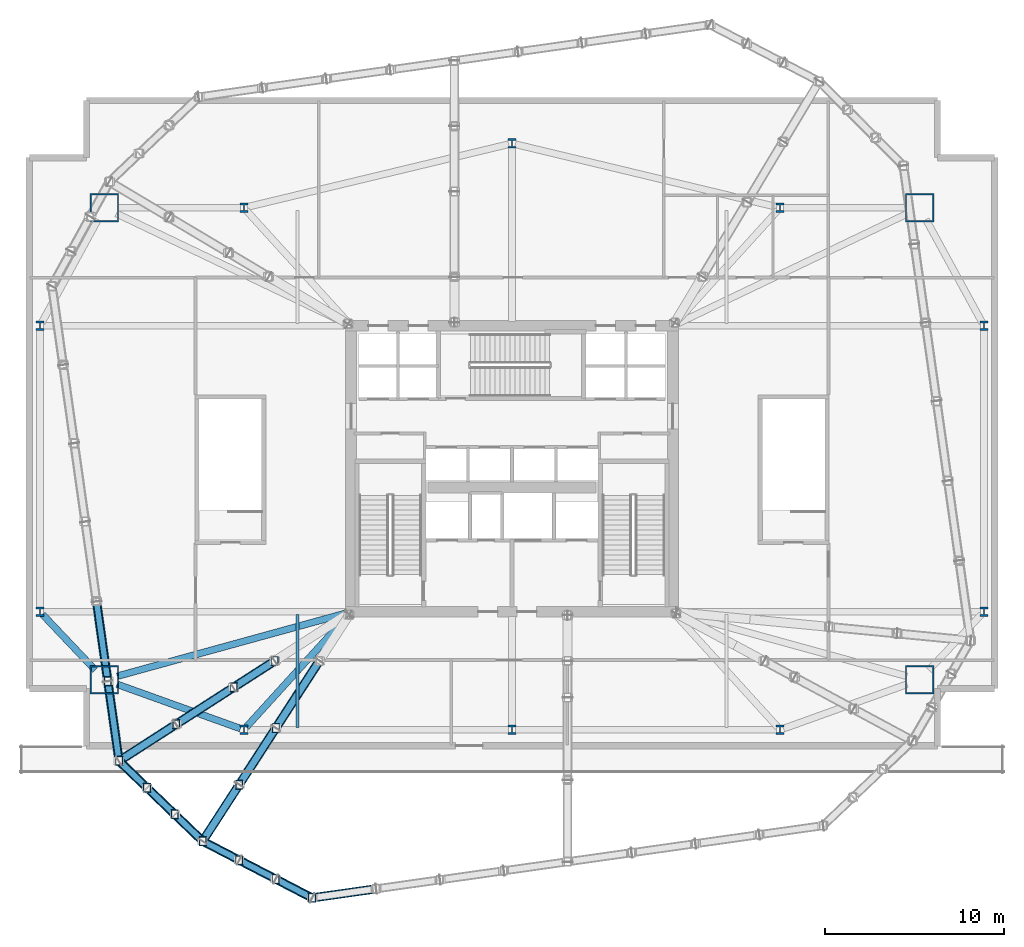
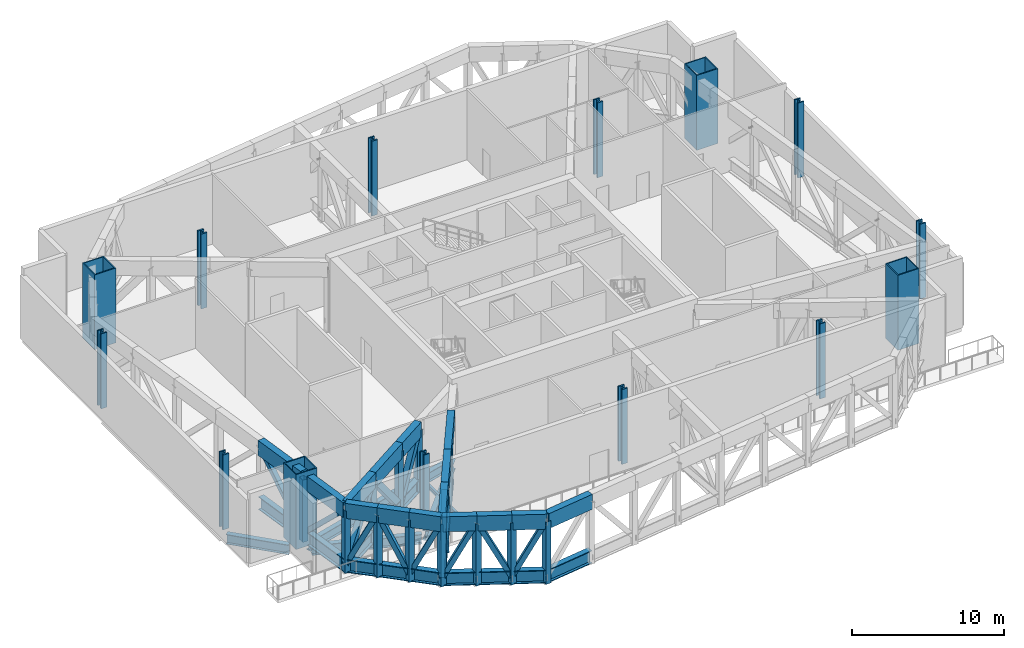
# One storey, part 1 of 15: 57 members, 14 columns, 5 beams.
"""IFC4 building model written with IfcOpenShell, lengths in metres."""

from ifc_helpers import new_model, si_unit, direction, frame, origin, origin_2d, place, context, subcontext, project, spatial, hollow_rectangle, i_section, extrude, material, material_profile, profile_set, type_object, element, save


model = new_model("IFC4")

# Units and contexts
model_context = context("Model", 3, precision=1e-05, world=origin(), true_north=direction((0.0, 1.0)))
body_context = subcontext(model_context, "Body", "Model", "MODEL_VIEW")
ifc_project = project(units=[si_unit("LENGTHUNIT", "METRE"), si_unit("AREAUNIT", "SQUARE_METRE"), si_unit("VOLUMEUNIT", "CUBIC_METRE"), si_unit("PLANEANGLEUNIT", "RADIAN"), si_unit("MASSUNIT", "GRAM", prefix="KILO")], contexts=[model_context])

# Site, building, storey
site_placement = place(None, origin())
site = spatial("IfcSite", under=ifc_project, at=site_placement, CompositionType="ELEMENT")
building_placement = place(site_placement, origin())
building = spatial("IfcBuilding", under=site, at=building_placement, Name="Haldenkirk Collegiate Tower", CompositionType="ELEMENT")
storey_placement = place(building_placement, frame((0.0, 0.0, 22.199951171875)))
storey = spatial("IfcBuildingStorey", under=building, at=storey_placement, Name="L04", CompositionType="ELEMENT", Elevation=22.199951171875)

# Columns
ifc_material_1 = material(Name="Steel ASTM A913 Grade 65", Category="steel")
ifc_material_profile_1 = material_profile(ifc_material_1, i_section(OverallWidth=0.44189453125, OverallDepth=0.531005859375, WebThickness=0.06591796875, FlangeThickness=0.105712890625, at=origin_2d()), Name="W14X605")
ifc_profile_set_1 = profile_set([ifc_material_profile_1], Name="Steel ASTM A913 Grade 65")
column_type_1 = type_object("IfcColumnType", Name="COL-INT-W14X605", PredefinedType="COLUMN", material=ifc_profile_set_1)
for number, where, z_axis, x_axis, name in (
    (1, (9.60009765625, 18.0, 0.0), (0.0, 0.0, 1.0), (1.0, 0.0, 0.0), "L04 podium transfer support column PPC-W1"),
    (2, (9.60009765625, 34.0, 0.0), (0.0, 0.0, 1.0), (1.0, 0.0, 0.0), "L04 podium transfer support column PPC-W2"),
    (3, (62.39990234375, 18.0, 0.0), (0.0, 0.0, 1.0), (1.0, 0.0, 0.0), "L04 podium transfer support column PPC-E1"),
    (4, (62.39990234375, 34.0, 0.0), (0.0, 0.0, 1.0), (1.0, 0.0, 0.0), "L04 podium transfer support column PPC-E2"),
    (5, (21.0, 11.39990234375, 0.0), (0.0, 0.0, 1.0), (1.0, 0.0, 0.0), "L04 podium transfer support column PPC-S1"),
    (6, (51.0, 11.39990234375, 0.0), (0.0, 0.0, 1.0), (1.0, 0.0, 0.0), "L04 podium transfer support column PPC-S2"),
    (7, (21.0, 40.60009765625, 0.0), (0.0, 0.0, 1.0), (1.0, 0.0, 0.0), "L04 podium transfer support column PPC-N1"),
    (8, (51.0, 40.60009765625, 0.0), (0.0, 0.0, 1.0), (1.0, 0.0, 0.0), "L04 podium transfer support column PPC-N2"),
    (9, (36.0, 44.199951171875, 0.0), (0.0, 0.0, 1.0), (1.0, 0.0, 0.0), "L04 podium transfer support column PPC-N3"),
    (10, (36.0, 11.39990234375, 0.0), (0.0, 0.0, 1.0), (1.0, 0.0, 0.0), "L04 podium transfer support column PPC-S3"),
):
    element("IfcColumn", number, at=place(storey_placement, frame(where, z_axis=z_axis, x_axis=x_axis)), inside=storey, type_object=column_type_1, Name=name, PredefinedType="COLUMN", context=body_context, shape_type="SweptSolid", body=[
        extrude(i_section(OverallWidth=0.44189453125, OverallDepth=0.531005859375, WebThickness=0.06591796875, FlangeThickness=0.105712890625, at=origin_2d()), origin(), (0.0, 0.0, 1.0), 6.0),
    ])
ifc_material_2 = material(Name="Steel ASTM A572 Grade 50", Category="steel")
ifc_material_profile_2 = material_profile(ifc_material_2, hollow_rectangle(XDim=1.60009765625, YDim=1.60009765625, WallThickness=0.080078125, at=origin_2d()), Name="BOX1600X1600X80")
ifc_profile_set_2 = profile_set([ifc_material_profile_2], Name="Steel ASTM A572 Grade 50")
column_type_2 = type_object("IfcColumnType", Name="COL-PODMEGA-BOX1600", PredefinedType="COLUMN", material=ifc_profile_set_2)
for number, where, z_axis, x_axis, name in (
    (11, (13.199951171875, 14.199951171875, 0.0), (0.0, 0.0, 1.0), (1.0, 0.0, 0.0), "L04 podium mega-column PMC-SW"),
    (12, (58.800048828125, 14.199951171875, 0.0), (0.0, 0.0, 1.0), (1.0, 0.0, 0.0), "L04 podium mega-column PMC-SE"),
    (13, (58.800048828125, 40.60009765625, 0.0), (0.0, 0.0, 1.0), (1.0, 0.0, 0.0), "L04 podium mega-column PMC-NE"),
    (14, (13.199951171875, 40.60009765625, 0.0), (0.0, 0.0, 1.0), (1.0, 0.0, 0.0), "L04 podium mega-column PMC-NW"),
):
    element("IfcColumn", number, at=place(storey_placement, frame(where, z_axis=z_axis, x_axis=x_axis)), inside=storey, type_object=column_type_2, Name=name, PredefinedType="COLUMN", context=body_context, shape_type="SweptSolid", body=[
        extrude(hollow_rectangle(XDim=1.60009765625, YDim=1.60009765625, WallThickness=0.080078125, at=origin_2d()), origin(), (0.0, 0.0, 1.0), 6.0),
    ])

# Beams
ifc_material_3 = material(Name="Steel ASTM A992 Grade 50", Category="steel")
ifc_material_profile_3 = material_profile(ifc_material_3, i_section(OverallWidth=0.381103515625, OverallDepth=0.77294921875, WebThickness=0.0166015625, FlangeThickness=0.027099609375, at=origin_2d()), Name="W30X173")
ifc_profile_set_3 = profile_set([ifc_material_profile_3], Name="Steel ASTM A992 Grade 50")
beam_type_1 = type_object("IfcBeamType", Name="BM-GIRDER-W30X173", PredefinedType="BEAM", material=ifc_profile_set_3)
beam_1_placement = place(storey_placement, frame((13.906005859375, 13.946533203125, -0.806396484375), z_axis=(0.941194128141, -0.337866265189, 0.0), x_axis=(0.337866265189, 0.941194128141, 0.0)))
element("IfcBeam", 15, at=beam_1_placement, inside=storey, type_object=beam_type_1, Name="L04 podium ring girder 01", PredefinedType="BEAM", context=body_context, shape_type="SweptSolid", body=[
    extrude(i_section(OverallWidth=0.381103515625, OverallDepth=0.77294921875, WebThickness=0.0166015625, FlangeThickness=0.027099609375, at=origin_2d()), origin(), (0.0, 0.0, 1.0), 7.337158203125),
])
beam_2_placement = place(storey_placement, frame((9.737548828125, 17.854736328125, -0.806396484375), z_axis=(0.687730422772, -0.725966160089, 0.0), x_axis=(0.725966160089, 0.687730422772, 0.0)))
element("IfcBeam", 16, at=beam_2_placement, inside=storey, type_object=beam_type_1, Name="L04 podium ring girder 14", PredefinedType="BEAM", context=body_context, shape_type="SweptSolid", body=[
    extrude(i_section(OverallWidth=0.381103515625, OverallDepth=0.77294921875, WebThickness=0.0166015625, FlangeThickness=0.027099609375, at=origin_2d()), origin(), (0.0, 0.0, 1.0), 4.284423828125),
])
beam_3_placement = place(storey_placement, frame((21.134521484375, 11.548095703125, -0.806396484375), z_axis=(0.672681402593, 0.739932247307, 0.0), x_axis=(-0.739932247307, 0.672681402593, 0.0)))
element("IfcBeam", 17, at=beam_3_placement, inside=storey, type_object=beam_type_1, Name="L04 podium radial girder 07", PredefinedType="BEAM", context=body_context, shape_type="SweptSolid", body=[
    extrude(i_section(OverallWidth=0.381103515625, OverallDepth=0.77294921875, WebThickness=0.0166015625, FlangeThickness=0.027099609375, at=origin_2d()), origin(), (0.0, 0.0, 1.0), 8.469482421875),
])
beam_4_placement = place(storey_placement, frame((13.923095703125, 14.399169921875, -0.806396484375), z_axis=(0.964118138457, 0.265473567606, 0.0), x_axis=(-0.265473567606, 0.964118138457, 0.0)))
element("IfcBeam", 18, at=beam_4_placement, inside=storey, type_object=beam_type_1, Name="L04 podium radial girder 11", PredefinedType="BEAM", context=body_context, shape_type="SweptSolid", body=[
    extrude(i_section(OverallWidth=0.381103515625, OverallDepth=0.77294921875, WebThickness=0.0166015625, FlangeThickness=0.027099609375, at=origin_2d()), origin(), (0.0, 0.0, 1.0), 13.313720703125),
])
ifc_material_profile_4 = material_profile(ifc_material_3, i_section(OverallWidth=0.1650390625, OverallDepth=0.31005859375, WebThickness=0.005859375, FlangeThickness=0.009765625, at=origin_2d()), Name="W12X26")
ifc_profile_set_4 = profile_set([ifc_material_profile_4], Name="Steel ASTM A992 Grade 50")
beam_type_2 = type_object("IfcBeamType", Name="BM-JOIST-W12X26", PredefinedType="JOIST", material=ifc_profile_set_4)
beam_5_placement = place(storey_placement, frame((24.0, 11.5400390625, -0.574951171875), z_axis=(0.0, 1.0, 0.0), x_axis=(-1.0, 0.0, 0.0)))
element("IfcBeam", 19, at=beam_5_placement, inside=storey, type_object=beam_type_2, Name="L04 south bay floor joist 1", PredefinedType="JOIST", context=body_context, shape_type="SweptSolid", body=[
    extrude(i_section(OverallWidth=0.1650390625, OverallDepth=0.31005859375, WebThickness=0.005859375, FlangeThickness=0.009765625, at=origin_2d()), origin(), (0.0, 0.0, 1.0), 6.320068359375),
])

# Members
ifc_material_profile_5 = material_profile(ifc_material_2, hollow_rectangle(XDim=0.5, YDim=1.199951171875, WallThickness=0.050048828125, at=origin_2d()), Name="BOX1200X500X50")
ifc_profile_set_5 = profile_set([ifc_material_profile_5], Name="Steel ASTM A572 Grade 50")
member_type_1 = type_object("IfcMemberType", Name="MBR-CHORD-BOX1200", PredefinedType="CHORD", material=ifc_profile_set_5)
member_1_placement = place(storey_placement, frame((25.219970703125, 15.25, 4.989990234375), z_axis=(-0.543419044396, -0.839461578744, 0.0), x_axis=(0.839461578744, -0.543419044396, 0.0)))
element("IfcMember", 20, at=member_1_placement, inside=storey, type_object=member_type_1, Name="Podium Transfer Truss Radial 01 top chord 2", PredefinedType="CHORD", context=body_context, shape_type="SweptSolid", body=[
    extrude(hollow_rectangle(XDim=0.5, YDim=1.199951171875, WallThickness=0.050048828125, at=origin_2d()), origin(), (0.0, 0.0, 1.0), 4.46484375),
])
for number, where, z_axis, x_axis, name in (
    (21, (22.793701171875, 11.501953125, 4.989990234375), (-0.543337190661, -0.839514560472, 0.0), (0.839514560472, -0.543337190661, 0.0), "Podium Transfer Truss Radial 01 top chord 3"),
    (22, (20.7451171875, 8.336669921875, 4.989990234375), (-0.543412362524, -0.839465904166, 0.0), (0.839465904166, -0.543412362524, 0.0), "Podium Transfer Truss Radial 01 top chord 4"),
):
    element("IfcMember", number, at=place(storey_placement, frame(where, z_axis=z_axis, x_axis=x_axis)), inside=storey, type_object=member_type_1, Name=name, PredefinedType="CHORD", context=body_context, shape_type="SweptSolid", body=[
        extrude(hollow_rectangle(XDim=0.5, YDim=1.199951171875, WallThickness=0.050048828125, at=origin_2d()), origin(), (0.0, 0.0, 1.0), 3.770263671875),
    ])
member_2_placement = place(storey_placement, frame((22.72216796875, 15.25, 4.989990234375), z_axis=(-0.841158124783, -0.540789246483, 0.0), x_axis=(0.540789246483, -0.841158124783, 0.0)))
element("IfcMember", 23, at=member_2_placement, inside=storey, type_object=member_type_1, Name="Podium Transfer Truss Radial 08 top chord 2", PredefinedType="CHORD", context=body_context, shape_type="SweptSolid", body=[
    extrude(hollow_rectangle(XDim=0.5, YDim=1.199951171875, WallThickness=0.050048828125, at=origin_2d()), origin(), (0.0, 0.0, 1.0), 2.728515625),
])
member_3_placement = place(storey_placement, frame((20.427001953125, 13.7744140625, 4.989990234375), z_axis=(-0.841188893398, -0.540741385159, 0.0), x_axis=(0.540741385159, -0.841188893398, 0.0)))
element("IfcMember", 24, at=member_3_placement, inside=storey, type_object=member_type_1, Name="Podium Transfer Truss Radial 08 top chord 3", PredefinedType="CHORD", context=body_context, shape_type="SweptSolid", body=[
    extrude(hollow_rectangle(XDim=0.5, YDim=1.199951171875, WallThickness=0.050048828125, at=origin_2d()), origin(), (0.0, 0.0, 1.0), 3.806884765625),
])
member_4_placement = place(storey_placement, frame((17.224609375, 11.7158203125, 4.989990234375), z_axis=(-0.841207643476, -0.540712216023, 0.0), x_axis=(0.540712216023, -0.841207643476, 0.0)))
element("IfcMember", 25, at=member_4_placement, inside=storey, type_object=member_type_1, Name="Podium Transfer Truss Radial 08 top chord 4", PredefinedType="CHORD", context=body_context, shape_type="SweptSolid", body=[
    extrude(hollow_rectangle(XDim=0.5, YDim=1.199951171875, WallThickness=0.050048828125, at=origin_2d()), origin(), (0.0, 0.0, 1.0), 3.80712890625),
])
for number, where, z_axis, x_axis, name in (
    (26, (18.6962890625, 5.171630859375, 4.989990234375), (0.887654803169, -0.460509446604, 0.0), (0.460509446604, 0.887654803169, 0.0), "Podium Transfer Truss Belt 01 top chord 1"),
    (27, (20.73583984375, 4.113525390625, 4.989990234375), (0.887654803169, -0.460509446604, 0.0), (0.460509446604, 0.887654803169, 0.0), "Podium Transfer Truss Belt 01 top chord 2"),
):
    element("IfcMember", number, at=place(storey_placement, frame(where, z_axis=z_axis, x_axis=x_axis)), inside=storey, type_object=member_type_1, Name=name, PredefinedType="CHORD", context=body_context, shape_type="SweptSolid", body=[
        extrude(hollow_rectangle(XDim=0.5, YDim=1.199951171875, WallThickness=0.050048828125, at=origin_2d()), origin(), (0.0, 0.0, 1.0), 2.297607421875),
    ])
member_5_placement = place(storey_placement, frame((22.775390625, 3.055419921875, 4.989990234375), z_axis=(0.887677333381, -0.460466015903, 0.0), x_axis=(0.460466015903, 0.887677333381, 0.0)))
element("IfcMember", 28, at=member_5_placement, inside=storey, type_object=member_type_1, Name="Podium Transfer Truss Belt 01 top chord 3", PredefinedType="CHORD", context=body_context, shape_type="SweptSolid", body=[
    extrude(hollow_rectangle(XDim=0.5, YDim=1.199951171875, WallThickness=0.050048828125, at=origin_2d()), origin(), (0.0, 0.0, 1.0), 2.2978515625),
])
member_6_placement = place(storey_placement, frame((24.815185546875, 1.997314453125, 4.989990234375), z_axis=(0.990146070017, 0.140038423404, 0.0), x_axis=(-0.140038423404, 0.990146070017, 0.0)))
element("IfcMember", 29, at=member_6_placement, inside=storey, type_object=member_type_1, Name="Podium Transfer Truss Belt 02 top chord 1", PredefinedType="CHORD", context=body_context, shape_type="SweptSolid", body=[
    extrude(hollow_rectangle(XDim=0.5, YDim=1.199951171875, WallThickness=0.050048828125, at=origin_2d()), origin(), (0.0, 0.0, 1.0), 3.60888671875),
])
member_7_placement = place(storey_placement, frame((12.759033203125, 18.587646484375, 4.989990234375), z_axis=(0.139996343636, -0.990152020535, 0.0), x_axis=(0.990152020535, 0.139996343636, 0.0)))
element("IfcMember", 30, at=member_7_placement, inside=storey, type_object=member_type_1, Name="Podium Transfer Truss Belt 15 top chord 2", PredefinedType="CHORD", context=body_context, shape_type="SweptSolid", body=[
    extrude(hollow_rectangle(XDim=0.5, YDim=1.199951171875, WallThickness=0.050048828125, at=origin_2d()), origin(), (0.0, 0.0, 1.0), 4.509765625),
])
member_8_placement = place(storey_placement, frame((13.390380859375, 14.122314453125, 4.989990234375), z_axis=(0.140056925638, -0.990143453031, 0.0), x_axis=(0.990143453031, 0.140056925638, 0.0)))
element("IfcMember", 31, at=member_8_placement, inside=storey, type_object=member_type_1, Name="Podium Transfer Truss Belt 15 top chord 3", PredefinedType="CHORD", context=body_context, shape_type="SweptSolid", body=[
    extrude(hollow_rectangle(XDim=0.5, YDim=1.199951171875, WallThickness=0.050048828125, at=origin_2d()), origin(), (0.0, 0.0, 1.0), 4.509521484375),
])
member_9_placement = place(storey_placement, frame((14.02197265625, 9.6572265625, 4.989990234375), z_axis=(0.721540935152, -0.692371777949, 0.0), x_axis=(0.692371777949, 0.721540935152, 0.0)))
element("IfcMember", 32, at=member_9_placement, inside=storey, type_object=member_type_1, Name="Podium Transfer Truss Belt 16 top chord 1", PredefinedType="CHORD", context=body_context, shape_type="SweptSolid", body=[
    extrude(hollow_rectangle(XDim=0.5, YDim=1.199951171875, WallThickness=0.050048828125, at=origin_2d()), origin(), (0.0, 0.0, 1.0), 2.159423828125),
])
member_10_placement = place(storey_placement, frame((15.580078125, 8.162109375, 4.989990234375), z_axis=(0.721484455896, -0.692430631833, 0.0), x_axis=(0.692430631833, 0.721484455896, 0.0)))
element("IfcMember", 33, at=member_10_placement, inside=storey, type_object=member_type_1, Name="Podium Transfer Truss Belt 16 top chord 2", PredefinedType="CHORD", context=body_context, shape_type="SweptSolid", body=[
    extrude(hollow_rectangle(XDim=0.5, YDim=1.199951171875, WallThickness=0.050048828125, at=origin_2d()), origin(), (0.0, 0.0, 1.0), 2.15966796875),
])
member_11_placement = place(storey_placement, frame((17.13818359375, 6.666748046875, 4.989990234375), z_axis=(0.721540935152, -0.692371777949, 0.0), x_axis=(0.692371777949, 0.721540935152, 0.0)))
element("IfcMember", 34, at=member_11_placement, inside=storey, type_object=member_type_1, Name="Podium Transfer Truss Belt 16 top chord 3", PredefinedType="CHORD", context=body_context, shape_type="SweptSolid", body=[
    extrude(hollow_rectangle(XDim=0.5, YDim=1.199951171875, WallThickness=0.050048828125, at=origin_2d()), origin(), (0.0, 0.0, 1.0), 2.159423828125),
])
ifc_material_profile_6 = material_profile(ifc_material_1, i_section(OverallWidth=0.4189453125, OverallDepth=1.041015625, WebThickness=0.031005859375, FlangeThickness=0.055908203125, at=origin_2d()), Name="W40X397")
ifc_profile_set_6 = profile_set([ifc_material_profile_6], Name="Steel ASTM A913 Grade 65")
member_type_2 = type_object("IfcMemberType", Name="MBR-CHORD-W40X397", PredefinedType="CHORD", material=ifc_profile_set_6)
member_12_placement = place(storey_placement, frame((25.219970703125, 15.25, 0.550048828125), z_axis=(-0.543419044396, -0.839461578744, 0.0), x_axis=(0.839461578744, -0.543419044396, 0.0)))
element("IfcMember", 35, at=member_12_placement, inside=storey, type_object=member_type_2, Name="Podium Transfer Truss Radial 01 bottom chord 2", PredefinedType="CHORD", context=body_context, shape_type="SweptSolid", body=[
    extrude(i_section(OverallWidth=0.4189453125, OverallDepth=1.041015625, WebThickness=0.031005859375, FlangeThickness=0.055908203125, at=origin_2d()), origin(), (0.0, 0.0, 1.0), 4.46484375),
])
for number, where, z_axis, x_axis, name in (
    (36, (22.793701171875, 11.501953125, 0.550048828125), (-0.543337190661, -0.839514560472, 0.0), (0.839514560472, -0.543337190661, 0.0), "Podium Transfer Truss Radial 01 bottom chord 3"),
    (37, (20.7451171875, 8.336669921875, 0.550048828125), (-0.543412362524, -0.839465904166, 0.0), (0.839465904166, -0.543412362524, 0.0), "Podium Transfer Truss Radial 01 bottom chord 4"),
):
    element("IfcMember", number, at=place(storey_placement, frame(where, z_axis=z_axis, x_axis=x_axis)), inside=storey, type_object=member_type_2, Name=name, PredefinedType="CHORD", context=body_context, shape_type="SweptSolid", body=[
        extrude(i_section(OverallWidth=0.4189453125, OverallDepth=1.041015625, WebThickness=0.031005859375, FlangeThickness=0.055908203125, at=origin_2d()), origin(), (0.0, 0.0, 1.0), 3.770263671875),
    ])
member_13_placement = place(storey_placement, frame((22.72216796875, 15.25, 0.550048828125), z_axis=(-0.841158124783, -0.540789246483, 0.0), x_axis=(0.540789246483, -0.841158124783, 0.0)))
element("IfcMember", 38, at=member_13_placement, inside=storey, type_object=member_type_2, Name="Podium Transfer Truss Radial 08 bottom chord 2", PredefinedType="CHORD", context=body_context, shape_type="SweptSolid", body=[
    extrude(i_section(OverallWidth=0.4189453125, OverallDepth=1.041015625, WebThickness=0.031005859375, FlangeThickness=0.055908203125, at=origin_2d()), origin(), (0.0, 0.0, 1.0), 2.728515625),
])
member_14_placement = place(storey_placement, frame((20.427001953125, 13.7744140625, 0.550048828125), z_axis=(-0.841188893398, -0.540741385159, 0.0), x_axis=(0.540741385159, -0.841188893398, 0.0)))
element("IfcMember", 39, at=member_14_placement, inside=storey, type_object=member_type_2, Name="Podium Transfer Truss Radial 08 bottom chord 3", PredefinedType="CHORD", context=body_context, shape_type="SweptSolid", body=[
    extrude(i_section(OverallWidth=0.4189453125, OverallDepth=1.041015625, WebThickness=0.031005859375, FlangeThickness=0.055908203125, at=origin_2d()), origin(), (0.0, 0.0, 1.0), 3.806884765625),
])
member_15_placement = place(storey_placement, frame((17.224609375, 11.7158203125, 0.550048828125), z_axis=(-0.841207643476, -0.540712216023, 0.0), x_axis=(0.540712216023, -0.841207643476, 0.0)))
element("IfcMember", 40, at=member_15_placement, inside=storey, type_object=member_type_2, Name="Podium Transfer Truss Radial 08 bottom chord 4", PredefinedType="CHORD", context=body_context, shape_type="SweptSolid", body=[
    extrude(i_section(OverallWidth=0.4189453125, OverallDepth=1.041015625, WebThickness=0.031005859375, FlangeThickness=0.055908203125, at=origin_2d()), origin(), (0.0, 0.0, 1.0), 3.80712890625),
])
for number, where, z_axis, x_axis, name in (
    (41, (18.6962890625, 5.171630859375, 0.550048828125), (0.887654803169, -0.460509446604, 0.0), (0.460509446604, 0.887654803169, 0.0), "Podium Transfer Truss Belt 01 bottom chord 1"),
    (42, (20.73583984375, 4.113525390625, 0.550048828125), (0.887654803169, -0.460509446604, 0.0), (0.460509446604, 0.887654803169, 0.0), "Podium Transfer Truss Belt 01 bottom chord 2"),
):
    element("IfcMember", number, at=place(storey_placement, frame(where, z_axis=z_axis, x_axis=x_axis)), inside=storey, type_object=member_type_2, Name=name, PredefinedType="CHORD", context=body_context, shape_type="SweptSolid", body=[
        extrude(i_section(OverallWidth=0.4189453125, OverallDepth=1.041015625, WebThickness=0.031005859375, FlangeThickness=0.055908203125, at=origin_2d()), origin(), (0.0, 0.0, 1.0), 2.297607421875),
    ])
member_16_placement = place(storey_placement, frame((22.775390625, 3.055419921875, 0.550048828125), z_axis=(0.887677333381, -0.460466015903, 0.0), x_axis=(0.460466015903, 0.887677333381, 0.0)))
element("IfcMember", 43, at=member_16_placement, inside=storey, type_object=member_type_2, Name="Podium Transfer Truss Belt 01 bottom chord 3", PredefinedType="CHORD", context=body_context, shape_type="SweptSolid", body=[
    extrude(i_section(OverallWidth=0.4189453125, OverallDepth=1.041015625, WebThickness=0.031005859375, FlangeThickness=0.055908203125, at=origin_2d()), origin(), (0.0, 0.0, 1.0), 2.2978515625),
])
member_17_placement = place(storey_placement, frame((24.815185546875, 1.997314453125, 0.550048828125), z_axis=(0.990146070017, 0.140038423404, 0.0), x_axis=(-0.140038423404, 0.990146070017, 0.0)))
element("IfcMember", 44, at=member_17_placement, inside=storey, type_object=member_type_2, Name="Podium Transfer Truss Belt 02 bottom chord 1", PredefinedType="CHORD", context=body_context, shape_type="SweptSolid", body=[
    extrude(i_section(OverallWidth=0.4189453125, OverallDepth=1.041015625, WebThickness=0.031005859375, FlangeThickness=0.055908203125, at=origin_2d()), origin(), (0.0, 0.0, 1.0), 3.60888671875),
])
member_18_placement = place(storey_placement, frame((12.759033203125, 18.587646484375, 0.550048828125), z_axis=(0.139996343636, -0.990152020535, 0.0), x_axis=(0.990152020535, 0.139996343636, 0.0)))
element("IfcMember", 45, at=member_18_placement, inside=storey, type_object=member_type_2, Name="Podium Transfer Truss Belt 15 bottom chord 2", PredefinedType="CHORD", context=body_context, shape_type="SweptSolid", body=[
    extrude(i_section(OverallWidth=0.4189453125, OverallDepth=1.041015625, WebThickness=0.031005859375, FlangeThickness=0.055908203125, at=origin_2d()), origin(), (0.0, 0.0, 1.0), 4.509765625),
])
member_19_placement = place(storey_placement, frame((13.390380859375, 14.122314453125, 0.550048828125), z_axis=(0.140056925638, -0.990143453031, 0.0), x_axis=(0.990143453031, 0.140056925638, 0.0)))
element("IfcMember", 46, at=member_19_placement, inside=storey, type_object=member_type_2, Name="Podium Transfer Truss Belt 15 bottom chord 3", PredefinedType="CHORD", context=body_context, shape_type="SweptSolid", body=[
    extrude(i_section(OverallWidth=0.4189453125, OverallDepth=1.041015625, WebThickness=0.031005859375, FlangeThickness=0.055908203125, at=origin_2d()), origin(), (0.0, 0.0, 1.0), 4.509521484375),
])
member_20_placement = place(storey_placement, frame((14.02197265625, 9.6572265625, 0.550048828125), z_axis=(0.721540935152, -0.692371777949, 0.0), x_axis=(0.692371777949, 0.721540935152, 0.0)))
element("IfcMember", 47, at=member_20_placement, inside=storey, type_object=member_type_2, Name="Podium Transfer Truss Belt 16 bottom chord 1", PredefinedType="CHORD", context=body_context, shape_type="SweptSolid", body=[
    extrude(i_section(OverallWidth=0.4189453125, OverallDepth=1.041015625, WebThickness=0.031005859375, FlangeThickness=0.055908203125, at=origin_2d()), origin(), (0.0, 0.0, 1.0), 2.159423828125),
])
member_21_placement = place(storey_placement, frame((15.580078125, 8.162109375, 0.550048828125), z_axis=(0.721484455896, -0.692430631833, 0.0), x_axis=(0.692430631833, 0.721484455896, 0.0)))
element("IfcMember", 48, at=member_21_placement, inside=storey, type_object=member_type_2, Name="Podium Transfer Truss Belt 16 bottom chord 2", PredefinedType="CHORD", context=body_context, shape_type="SweptSolid", body=[
    extrude(i_section(OverallWidth=0.4189453125, OverallDepth=1.041015625, WebThickness=0.031005859375, FlangeThickness=0.055908203125, at=origin_2d()), origin(), (0.0, 0.0, 1.0), 2.15966796875),
])
member_22_placement = place(storey_placement, frame((17.13818359375, 6.666748046875, 0.550048828125), z_axis=(0.721540935152, -0.692371777949, 0.0), x_axis=(0.692371777949, 0.721540935152, 0.0)))
element("IfcMember", 49, at=member_22_placement, inside=storey, type_object=member_type_2, Name="Podium Transfer Truss Belt 16 bottom chord 3", PredefinedType="CHORD", context=body_context, shape_type="SweptSolid", body=[
    extrude(i_section(OverallWidth=0.4189453125, OverallDepth=1.041015625, WebThickness=0.031005859375, FlangeThickness=0.055908203125, at=origin_2d()), origin(), (0.0, 0.0, 1.0), 2.159423828125),
])
ifc_material_profile_7 = material_profile(ifc_material_2, hollow_rectangle(XDim=0.35009765625, YDim=0.35009765625, WallThickness=0.01611328125, at=origin_2d()), Name="HSS350X350X16")
ifc_profile_set_7 = profile_set([ifc_material_profile_7], Name="Steel ASTM A572 Grade 50")
member_type_3 = type_object("IfcMemberType", Name="MBR-TRUSSDIAG-HSS350X350X16", PredefinedType="BRACE", material=ifc_profile_set_7)
for number, where, z_axis, x_axis, name in (
    (50, (18.6962890625, 5.171630859375, 0.550048828125), (0.40797189308, -0.21165312241, 0.888122677467), (0.460509446604, 0.887654803169, 0.0), "Podium Transfer Truss Belt 01 web diagonal 1"),
    (51, (20.73583984375, 4.113525390625, 4.989990234375), (0.40797189308, -0.21165312241, -0.888122677467), (0.460509446604, 0.887654803169, 0.0), "Podium Transfer Truss Belt 01 web diagonal 2"),
    (52, (22.775390625, 3.055419921875, 0.550048828125), (0.408012599144, -0.211648905409, 0.888104982409), (0.460466015903, 0.887677333381, 0.0), "Podium Transfer Truss Belt 01 web diagonal 3"),
):
    element("IfcMember", number, at=place(storey_placement, frame(where, z_axis=z_axis, x_axis=x_axis)), inside=storey, type_object=member_type_3, Name=name, PredefinedType="BRACE", context=body_context, shape_type="SweptSolid", body=[
        extrude(hollow_rectangle(XDim=0.35009765625, YDim=0.35009765625, WallThickness=0.01611328125, at=origin_2d()), origin(), (0.0, 0.0, 1.0), 4.999267578125),
    ])
member_23_placement = place(storey_placement, frame((12.759033203125, 18.587646484375, 4.989990234375), z_axis=(0.099761414194, -0.705582469301, -0.701570409334), x_axis=(0.990152020535, 0.139996343636, 0.0)))
element("IfcMember", 53, at=member_23_placement, inside=storey, type_object=member_type_3, Name="Podium Transfer Truss Belt 15 web diagonal 2", PredefinedType="BRACE", context=body_context, shape_type="SweptSolid", body=[
    extrude(hollow_rectangle(XDim=0.35009765625, YDim=0.35009765625, WallThickness=0.01611328125, at=origin_2d()), origin(), (0.0, 0.0, 1.0), 6.32861328125),
])
member_24_placement = place(storey_placement, frame((13.390380859375, 14.122314453125, 0.550048828125), z_axis=(0.099802324059, -0.705560380639, 0.70158680531), x_axis=(0.990143453031, 0.140056925638, 0.0)))
element("IfcMember", 54, at=member_24_placement, inside=storey, type_object=member_type_3, Name="Podium Transfer Truss Belt 15 web diagonal 3", PredefinedType="BRACE", context=body_context, shape_type="SweptSolid", body=[
    extrude(hollow_rectangle(XDim=0.35009765625, YDim=0.35009765625, WallThickness=0.01611328125, at=origin_2d()), origin(), (0.0, 0.0, 1.0), 6.328369140625),
])
for number, where, z_axis, x_axis, name in (
    (55, (14.02197265625, 9.6572265625, 0.550048828125), (0.315583519392, -0.302825677336, 0.899279517967), (0.692371777949, 0.721540935152, 0.0), "Podium Transfer Truss Belt 16 web diagonal 1"),
    (56, (15.580078125, 8.162109375, 4.989990234375), (0.31557879343, -0.302870590686, -0.899266050974), (0.692430631833, 0.721484455896, 0.0), "Podium Transfer Truss Belt 16 web diagonal 2"),
    (57, (17.13818359375, 6.666748046875, 0.550048828125), (0.315583519392, -0.302825677336, 0.899279517967), (0.692371777949, 0.721540935152, 0.0), "Podium Transfer Truss Belt 16 web diagonal 3"),
):
    element("IfcMember", number, at=place(storey_placement, frame(where, z_axis=z_axis, x_axis=x_axis)), inside=storey, type_object=member_type_3, Name=name, PredefinedType="BRACE", context=body_context, shape_type="SweptSolid", body=[
        extrude(hollow_rectangle(XDim=0.35009765625, YDim=0.35009765625, WallThickness=0.01611328125, at=origin_2d()), origin(), (0.0, 0.0, 1.0), 4.937255859375),
    ])
ifc_material_profile_8 = material_profile(ifc_material_2, hollow_rectangle(XDim=0.39990234375, YDim=0.5, WallThickness=0.02490234375, at=origin_2d()), Name="HSS500X400X25")
ifc_profile_set_8 = profile_set([ifc_material_profile_8], Name="Steel ASTM A572 Grade 50")
member_type_4 = type_object("IfcMemberType", Name="MBR-TRUSSDIAG-HSS500X400X25", PredefinedType="BRACE", material=ifc_profile_set_8)
member_25_placement = place(storey_placement, frame((25.219970703125, 15.25, 4.989990234375), z_axis=(-0.385327443949, -0.595245212267, -0.705128284933), x_axis=(0.839461578744, -0.543419044396, 0.0)))
element("IfcMember", 58, at=member_25_placement, inside=storey, type_object=member_type_4, Name="Podium Transfer Truss Radial 01 web diagonal 2", PredefinedType="BRACE", context=body_context, shape_type="SweptSolid", body=[
    extrude(hollow_rectangle(XDim=0.39990234375, YDim=0.5, WallThickness=0.02490234375, at=origin_2d()), origin(), (0.0, 0.0, 1.0), 6.296630859375),
])
member_26_placement = place(storey_placement, frame((22.793701171875, 11.501953125, 0.550048828125), z_axis=(-0.351697728229, -0.543410921998, 0.762242269762), x_axis=(0.839514560472, -0.543337190661, 0.0)))
element("IfcMember", 59, at=member_26_placement, inside=storey, type_object=member_type_4, Name="Podium Transfer Truss Radial 01 web diagonal 3", PredefinedType="BRACE", context=body_context, shape_type="SweptSolid", body=[
    extrude(hollow_rectangle(XDim=0.39990234375, YDim=0.5, WallThickness=0.02490234375, at=origin_2d()), origin(), (0.0, 0.0, 1.0), 5.824951171875),
])
member_27_placement = place(storey_placement, frame((20.7451171875, 8.336669921875, 4.989990234375), z_axis=(-0.351742467701, -0.543373373602, -0.762248393423), x_axis=(0.839465904166, -0.543412362524, 0.0)))
element("IfcMember", 60, at=member_27_placement, inside=storey, type_object=member_type_4, Name="Podium Transfer Truss Radial 01 web diagonal 4", PredefinedType="BRACE", context=body_context, shape_type="SweptSolid", body=[
    extrude(hollow_rectangle(XDim=0.39990234375, YDim=0.5, WallThickness=0.02490234375, at=origin_2d()), origin(), (0.0, 0.0, 1.0), 5.82470703125),
])
member_28_placement = place(storey_placement, frame((22.72216796875, 15.25, 4.989990234375), z_axis=(-0.440416365855, -0.283148230532, -0.851974473933), x_axis=(0.540789246483, -0.841158124783, 0.0)))
element("IfcMember", 61, at=member_28_placement, inside=storey, type_object=member_type_4, Name="Podium Transfer Truss Radial 08 web diagonal 2", PredefinedType="BRACE", context=body_context, shape_type="SweptSolid", body=[
    extrude(hollow_rectangle(XDim=0.39990234375, YDim=0.5, WallThickness=0.02490234375, at=origin_2d()), origin(), (0.0, 0.0, 1.0), 5.21142578125),
])
for number, where, z_axis, x_axis, name in (
    (62, (20.427001953125, 13.7744140625, 0.550048828125), (-0.547547898217, -0.351980169076, 0.759145084773), (0.540741385159, -0.841188893398, 0.0), "Podium Transfer Truss Radial 08 web diagonal 3"),
    (63, (17.224609375, 11.7158203125, 4.989990234375), (-0.547577125565, -0.35197212401, -0.759127733308), (0.540712216023, -0.841207643476, 0.0), "Podium Transfer Truss Radial 08 web diagonal 4"),
):
    element("IfcMember", number, at=place(storey_placement, frame(where, z_axis=z_axis, x_axis=x_axis)), inside=storey, type_object=member_type_4, Name=name, PredefinedType="BRACE", context=body_context, shape_type="SweptSolid", body=[
        extrude(hollow_rectangle(XDim=0.39990234375, YDim=0.5, WallThickness=0.02490234375, at=origin_2d()), origin(), (0.0, 0.0, 1.0), 5.8486328125),
    ])
ifc_material_profile_9 = material_profile(ifc_material_2, hollow_rectangle(XDim=0.39990234375, YDim=0.5, WallThickness=0.02490234375, at=origin_2d()), Name="HSS500X400X25")
ifc_profile_set_9 = profile_set([ifc_material_profile_9], Name="Steel ASTM A572 Grade 50")
member_type_5 = type_object("IfcMemberType", Name="MBR-TRUSSPOST-HSS500X400X25", PredefinedType="POST", material=ifc_profile_set_9)
for number, where, z_axis, x_axis, name in (
    (64, (22.793701171875, 11.501953125, 0.0), (0.0, 0.0, 1.0), (1.0, 0.0, 0.0), "Podium Transfer Truss Radial 01 vertical post 3"),
    (65, (20.7451171875, 8.336669921875, 0.0), (0.0, 0.0, 1.0), (1.0, 0.0, 0.0), "Podium Transfer Truss Radial 01 vertical post 4"),
    (66, (18.6962890625, 5.171630859375, 0.0), (0.0, 0.0, 1.0), (1.0, 0.0, 0.0), "Podium Transfer Truss Radial 01 vertical post 5"),
    (67, (22.72216796875, 15.25, 0.0), (0.0, 0.0, 1.0), (1.0, 0.0, 0.0), "Podium Transfer Truss Radial 08 vertical post 2"),
    (68, (20.427001953125, 13.7744140625, 0.0), (0.0, 0.0, 1.0), (1.0, 0.0, 0.0), "Podium Transfer Truss Radial 08 vertical post 3"),
    (69, (17.224609375, 11.7158203125, 0.0), (0.0, 0.0, 1.0), (1.0, 0.0, 0.0), "Podium Transfer Truss Radial 08 vertical post 4"),
    (70, (14.02197265625, 9.6572265625, 0.0), (0.0, 0.0, 1.0), (1.0, 0.0, 0.0), "Podium Transfer Truss Radial 08 vertical post 5"),
    (71, (20.73583984375, 4.113525390625, 0.0), (0.0, 0.0, 1.0), (1.0, 0.0, 0.0), "Podium Transfer Truss Belt 01 vertical post 2"),
    (72, (22.775390625, 3.055419921875, 0.0), (0.0, 0.0, 1.0), (1.0, 0.0, 0.0), "Podium Transfer Truss Belt 01 vertical post 3"),
    (73, (24.815185546875, 1.997314453125, 0.0), (0.0, 0.0, 1.0), (1.0, 0.0, 0.0), "Podium Transfer Truss Belt 01 vertical post 4"),
    (74, (13.390380859375, 14.122314453125, 0.0), (0.0, 0.0, 1.0), (1.0, 0.0, 0.0), "Podium Transfer Truss Belt 15 vertical post 3"),
    (75, (15.580078125, 8.162109375, 0.0), (0.0, 0.0, 1.0), (1.0, 0.0, 0.0), "Podium Transfer Truss Belt 16 vertical post 2"),
    (76, (17.13818359375, 6.666748046875, 0.0), (0.0, 0.0, 1.0), (1.0, 0.0, 0.0), "Podium Transfer Truss Belt 16 vertical post 3"),
):
    element("IfcMember", number, at=place(storey_placement, frame(where, z_axis=z_axis, x_axis=x_axis)), inside=storey, type_object=member_type_5, Name=name, PredefinedType="POST", context=body_context, shape_type="SweptSolid", body=[
        extrude(hollow_rectangle(XDim=0.39990234375, YDim=0.5, WallThickness=0.02490234375, at=origin_2d()), origin(), (0.0, 0.0, 1.0), 4.989990234375),
    ])

save(model, "model.ifc")
